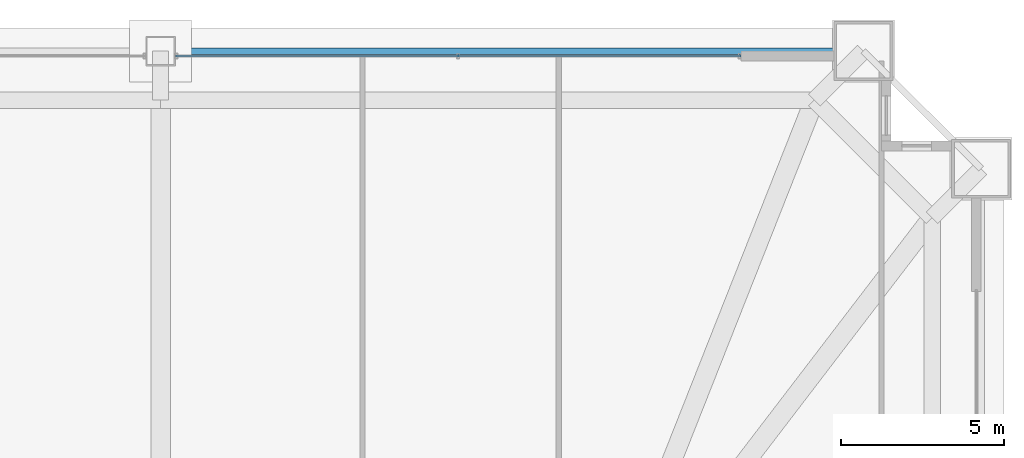
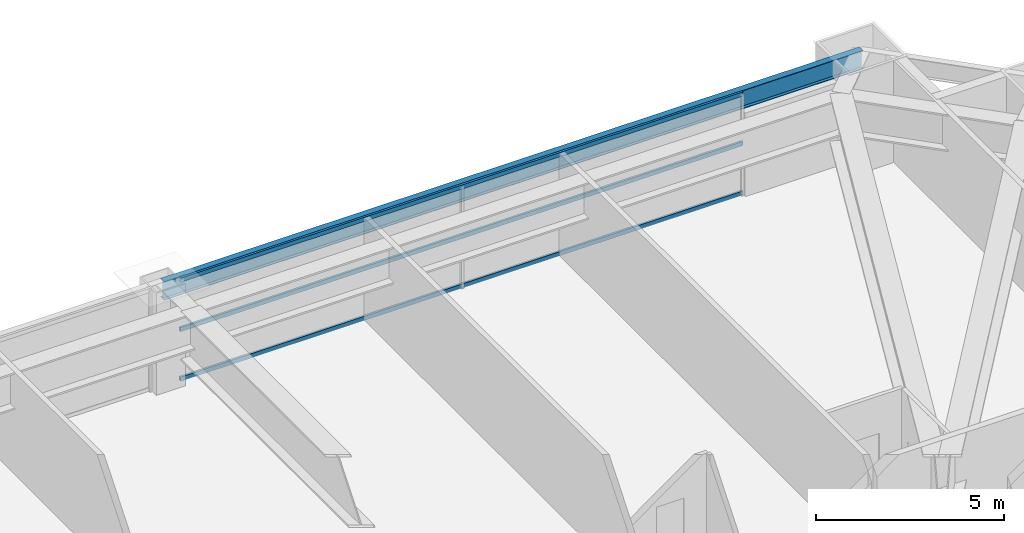
# One storey, part 37 of 44: 3 members, 1 beam, 1 element without a shape of its own.
"""IFC4 building model written with IfcOpenShell, lengths in metres."""

from ifc_helpers import new_model, si_unit, direction, frame, origin, origin_2d, place, context, subcontext, project, spatial, hollow_rectangle, i_section, extrude, source, transform, mapped, material, layer, layer_set, material_profile, profile_set, type_object, element, aggregate, save


model = new_model("IFC4")

# Units and contexts
model_context = context("Model", 3, precision=1e-05, world=origin(), true_north=direction((0.0, 1.0)))
body_context = subcontext(model_context, "Body", "Model", "MODEL_VIEW")
ifc_project = project(units=[si_unit("LENGTHUNIT", "METRE"), si_unit("AREAUNIT", "SQUARE_METRE"), si_unit("VOLUMEUNIT", "CUBIC_METRE"), si_unit("PLANEANGLEUNIT", "RADIAN"), si_unit("MASSUNIT", "GRAM", prefix="KILO"), si_unit("THERMODYNAMICTEMPERATUREUNIT", "KELVIN"), si_unit("POWERUNIT", "WATT")], contexts=[model_context])

# Site, building, storey
site_placement = place(None, origin())
site = spatial("IfcSite", under=ifc_project, at=site_placement, CompositionType="ELEMENT")
building_placement = place(site_placement, origin())
building = spatial("IfcBuilding", under=site, at=building_placement, Name="Yuzanri Waterfront Tower", CompositionType="ELEMENT")
storey_placement = place(building_placement, frame((0.0, 0.0, 82.0)))
storey = spatial("IfcBuildingStorey", under=building, at=storey_placement, Name="L21", CompositionType="ELEMENT", Elevation=82.0)

# Beam
ifc_material_1 = material(Name="Steel Q355B", Category="steel")
ifc_material_profile_1 = material_profile(ifc_material_1, i_section(OverallWidth=0.199951171875, OverallDepth=0.60009765625, WebThickness=0.010986328125, FlangeThickness=0.01708984375, at=origin_2d()), Name="HN 600x200x11x17")
ifc_profile_set_1 = profile_set([ifc_material_profile_1], Name="Steel Q355B")
beam_type = type_object("IfcBeamType", Name="Perimeter Spandrel Q355B HN 600x200", PredefinedType="SPANDREL", material=ifc_profile_set_1)
shared_shape_1 = source(origin(), body_context, "Body", "SweptSolid", [
    extrude(i_section(OverallWidth=0.199951171875, OverallDepth=0.60009765625, WebThickness=0.010986328125, FlangeThickness=0.01708984375, at=origin_2d()), origin(), (0.0, 0.0, 1.0), 21.5),
])
beam_placement = place(storey_placement, frame((58.5, 50.89990234375, 3.02001953125), z_axis=(-1.0, 0.0, 0.0), x_axis=(0.0, -1.0, 0.0)))
element("IfcBeam", 1, at=beam_placement, inside=storey, type_object=beam_type, Name="L21 Perimeter Spandrel N3-N2", PredefinedType="SPANDREL", context=body_context, shape_type="MappedRepresentation", body=[
    mapped(shared_shape_1, transform((0.0, 0.0, 0.0), scale=1.0)),
])

# Curtain wall, members
ifc_material_2 = material(Name="Anodized Architectural Bronze", Category="metal")
ifc_layer = layer(ifc_material_2, 0.159912109375)
ifc_layer_set = layer_set([ifc_layer], Name="Anodized Architectural Bronze")
curtain_wall_type = type_object("IfcCurtainWallType", Name="Anodized Bronze Hotel Lower-Tier Recessed Unitized Curtain Wall 8100", PredefinedType="NOTDEFINED", material=ifc_layer_set)
curtain_wall_placement = place(storey_placement, origin())
curtain_wall = element("IfcCurtainWall", 2, at=curtain_wall_placement, inside=storey, type_object=curtain_wall_type, Name="L21 Curtain Wall CW-L21-NR", PredefinedType="NOTDEFINED")
ifc_material_3 = material(Name="Anodized Architectural Bronze", Category="metal")
ifc_material_profile_2 = material_profile(ifc_material_3, hollow_rectangle(XDim=0.070068359375, YDim=0.135009765625, WallThickness=0.00341796875, at=origin_2d()), Name="CWT 70x135")
ifc_profile_set_2 = profile_set([ifc_material_profile_2], Name="Anodized Architectural Bronze")
member_type = type_object("IfcMemberType", Name="Anodized Bronze Standard Curtain-Wall Transom 70x135", PredefinedType="USERDEFINED", material=ifc_profile_set_2)
shared_shape_2 = source(origin(), body_context, "Body", "SweptSolid", [
    extrude(hollow_rectangle(XDim=0.070068359375, YDim=0.135009765625, WallThickness=0.00341796875, at=origin_2d()), origin(), (0.0, 0.0, 1.0), 17.300048828125),
])
member_1_placement = place(storey_placement, frame((37.449951171875, 50.75, 0.050048828125), z_axis=(1.0, 0.0, 0.0), x_axis=(0.0, 1.0, 0.0)))
member_1 = element("IfcMember", 3, at=member_1_placement, type_object=member_type, Name="CW-L21-NR Transom 1", ObjectType="TRANSOM", PredefinedType="USERDEFINED", context=body_context, shape_type="MappedRepresentation", body=[
    mapped(shared_shape_2, transform((0.0, 0.0, 0.0), scale=1.0)),
])
member_2_placement = place(storey_placement, frame((37.449951171875, 50.75, 1.659912109375), z_axis=(1.0, 0.0, 0.0), x_axis=(0.0, 1.0, 0.0)))
member_2 = element("IfcMember", 4, at=member_2_placement, type_object=member_type, Name="CW-L21-NR Transom 2", ObjectType="TRANSOM", PredefinedType="USERDEFINED", context=body_context, shape_type="MappedRepresentation", body=[
    mapped(shared_shape_2, transform((0.0, 0.0, 0.0), scale=1.0)),
])
member_3_placement = place(storey_placement, frame((37.449951171875, 50.75, 3.27001953125), z_axis=(1.0, 0.0, 0.0), x_axis=(0.0, 1.0, 0.0)))
member_3 = element("IfcMember", 5, at=member_3_placement, type_object=member_type, Name="CW-L21-NR Transom 3", ObjectType="TRANSOM", PredefinedType="USERDEFINED", context=body_context, shape_type="MappedRepresentation", body=[
    mapped(shared_shape_2, transform((0.0, 0.0, 0.0), scale=1.0)),
])
aggregate(curtain_wall, [member_1, member_2, member_3])

save(model, "model.ifc")
